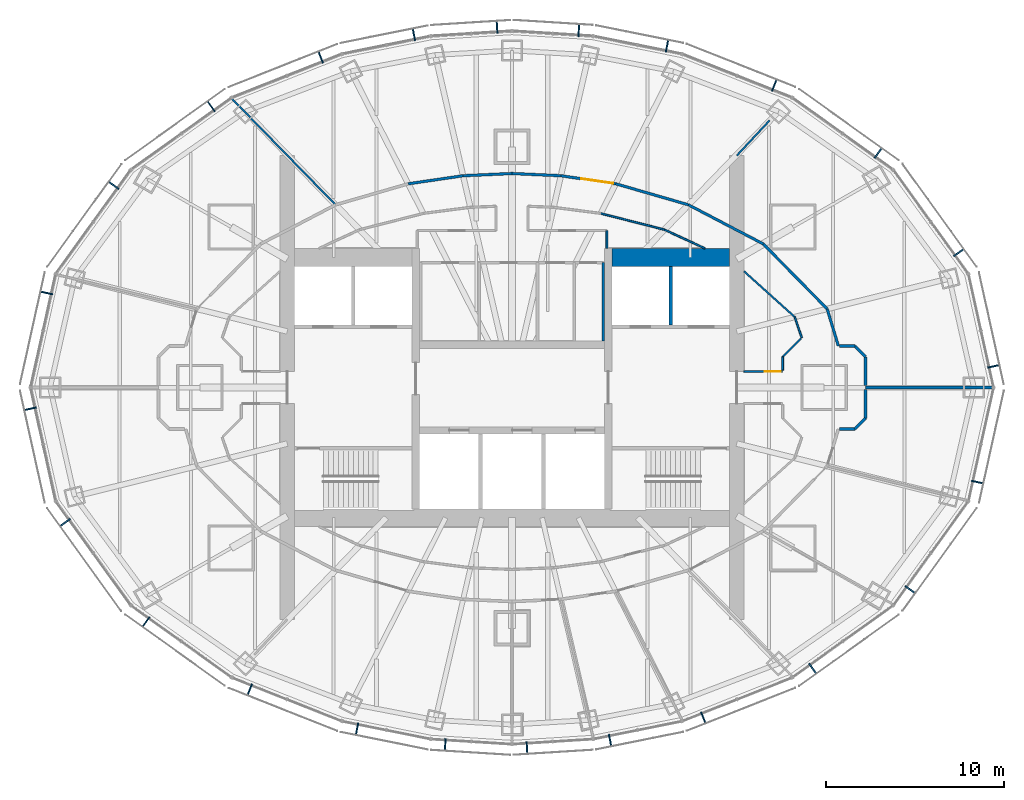
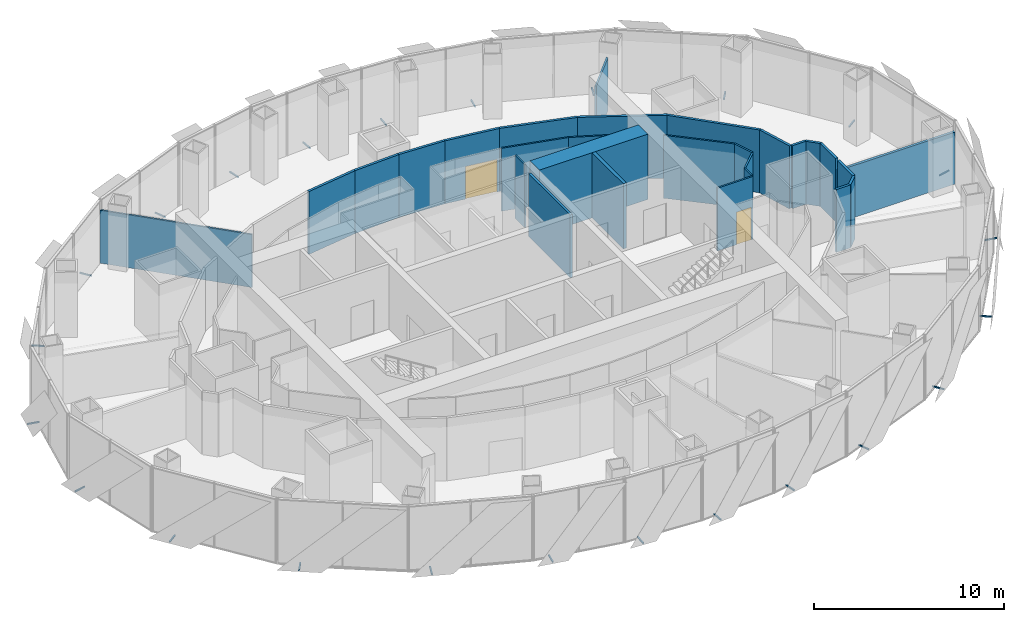
# One storey, part 14 of 17: 28 walls, 24 discrete accessories, 2 doors, 2 openings.
"""IFC4 building model written with IfcOpenShell, lengths in metres."""

from ifc_helpers import new_model, si_unit, direction, frame, frame_2d, origin, origin_2d, place, context, subcontext, project, spatial, rectangle, extrude, material, layer, layer_set, type_object, element, fill, save


model = new_model("IFC4")

# Units and contexts
model_context = context("Model", 3, precision=1e-05, world=origin(), true_north=direction((0.0, 1.0)))
body_context = subcontext(model_context, "Body", "Model", "MODEL_VIEW")
ifc_project = project(units=[si_unit("LENGTHUNIT", "METRE"), si_unit("AREAUNIT", "SQUARE_METRE"), si_unit("VOLUMEUNIT", "CUBIC_METRE"), si_unit("PLANEANGLEUNIT", "RADIAN"), si_unit("MASSUNIT", "GRAM", prefix="KILO")], contexts=[model_context])

# Site, building, storey
site_placement = place(None, origin())
site = spatial("IfcSite", under=ifc_project, at=site_placement, CompositionType="ELEMENT")
building_placement = place(site_placement, origin())
building = spatial("IfcBuilding", under=site, at=building_placement, Name="Lantaw Convention Tower", CompositionType="ELEMENT")
storey_placement = place(building_placement, frame((0.0, 0.0, 220.0)))
storey = spatial("IfcBuildingStorey", under=building, at=storey_placement, Name="L51", CompositionType="ELEMENT", Elevation=220.0)

# Walls
ifc_material_1 = material(Name="Concrete C60/75", Category="concrete")
ifc_layer_1 = layer(ifc_material_1, 1.0)
ifc_layer_set_1 = layer_set([ifc_layer_1], Name="Core wall 1000")
wall_type_1 = type_object("IfcWallType", Name="Core wall 1000", PredefinedType="SHEAR", material=ifc_layer_set_1)
wall_1_placement = place(storey_placement, frame((12.199951171875, 7.300048828125, 0.0), z_axis=(0.0, 0.0, 1.0), x_axis=(-1.0, 0.0, 0.0)))
element("IfcWall", 1, at=wall_1_placement, inside=storey, type_object=wall_type_1, Name="Core wall NE", PredefinedType="SHEAR", context=body_context, shape_type="SweptSolid", body=[
    extrude(rectangle(XDim=6.599853515625, YDim=1.0, at=frame_2d((3.2998046875, 0.0))), origin(), (0.0, 0.0, 1.0), 4.199951171875),
])
ifc_material_2 = material(Name="Gypsum board on steel studs, fire rated", Category="steel")
ifc_layer_2 = layer(ifc_material_2, 0.14990234375)
ifc_layer_set_2 = layer_set([ifc_layer_2], Name="Corridor wall 150 EI 60")
wall_type_2 = type_object("IfcWallType", Name="Corridor wall 150 EI 60", PredefinedType="PARTITIONING", material=ifc_layer_set_2)
wall_2_placement = place(storey_placement, frame((17.6728515625, 4.40625, 0.0), z_axis=(0.0, 0.0, 1.0), x_axis=(-0.701111216625, 0.713051934941, 0.0)))
element("IfcWall", 2, at=wall_2_placement, inside=storey, type_object=wall_type_2, Name="Corridor wall 150", PredefinedType="PARTITIONING", context=body_context, shape_type="SweptSolid", body=[
    extrude(rectangle(XDim=5.111572265625, YDim=0.14990234375, at=frame_2d((2.5556640625, 0.0))), origin(), (0.0, 0.0, 1.0), 4.050048828125),
])
wall_3_placement = place(storey_placement, frame((14.089111328125, 8.051025390625, 0.0), z_axis=(0.0, 0.0, 1.0), x_axis=(-0.886174439647, 0.463351769735, 0.0)))
element("IfcWall", 3, at=wall_3_placement, inside=storey, type_object=wall_type_2, Name="Corridor wall 150", PredefinedType="PARTITIONING", context=body_context, shape_type="SweptSolid", body=[
    extrude(rectangle(XDim=4.734619140625, YDim=0.14990234375, at=frame_2d((2.3671875, 0.0))), origin(), (0.0, 0.0, 1.0), 4.050048828125),
])
wall_4_placement = place(storey_placement, frame((9.893310546875, 10.244873046875, 0.0), z_axis=(0.0, 0.0, 1.0), x_axis=(-0.960614838378, 0.27788330696, 0.0)))
element("IfcWall", 4, at=wall_4_placement, inside=storey, type_object=wall_type_2, Name="Corridor wall 150", PredefinedType="PARTITIONING", context=body_context, shape_type="SweptSolid", body=[
    extrude(rectangle(XDim=4.239990234375, YDim=0.14990234375, at=frame_2d((2.1201171875, 0.0))), origin(), (0.0, 0.0, 1.0), 4.050048828125),
])

# Wall, opening, door
wall_5_placement = place(storey_placement, frame((5.8203125, 11.423095703125, 0.0), z_axis=(0.0, 0.0, 1.0), x_axis=(-0.989421822189, 0.145067080265, 0.0)))
wall_5 = element("IfcWall", 5, at=wall_5_placement, inside=storey, type_object=wall_type_2, Name="Corridor wall 150", PredefinedType="PARTITIONING", context=body_context, shape_type="SweptSolid", body=[
    extrude(rectangle(XDim=3.11181640625, YDim=0.14990234375, at=frame_2d((1.555908203125, 0.0))), origin(), (0.0, 0.0, 1.0), 4.050048828125),
])
opening_1_placement = place(wall_5_placement, frame((0.14990234375, 0.0, 0.0)))
opening_1 = element("IfcOpeningElement", 6, at=opening_1_placement, cuts=wall_5, Name="Opening L51.25", PredefinedType="OPENING", context=body_context, shape_type="SweptSolid", body=[
    extrude(rectangle(XDim=1.800048828125, YDim=2.10009765625, at=frame_2d((0.89990234375, 1.050048828125))), frame((0.0, 0.0849609375, 0.0), z_axis=(0.0, -1.0, 0.0), x_axis=(1.0, 0.0, 0.0)), (0.0, 0.0, 1.0), 0.169921875),
])
ifc_material_3 = material(Name="Steel, fire rated", Category="steel")
door_type_1 = type_object("IfcDoorType", Name="Office double door 1800 FD30", OperationType="DOUBLE_DOOR_DOUBLE_SWING", PredefinedType="DOOR", material=ifc_material_3)
door_1_placement = place(opening_1_placement, origin())
door_1 = element("IfcDoor", 7, at=door_1_placement, inside=storey, type_object=door_type_1, Name="Open office door", OperationType="DOUBLE_DOOR_DOUBLE_SWING", OverallHeight=2.10009765625, OverallWidth=1.800048828125, PredefinedType="DOOR", context=body_context, shape_type="SweptSolid", body=[
    extrude(rectangle(XDim=1.800048828125, YDim=2.10009765625, at=frame_2d((0.89990234375, 1.050048828125))), frame((0.0, 0.02490234375, 0.0), z_axis=(0.0, -1.0, 0.0), x_axis=(1.0, 0.0, 0.0)), (0.0, 0.0, 1.0), 0.050048828125),
])
fill(opening_1, door_1)

# Walls
for number, where, z_axis, x_axis, name in (
    (8, (2.741455078125, 11.87451171875, 0.0), (0.0, 0.0, 1.0), (-0.998953998629, 0.045726454297, 0.0), "Corridor wall 150"),
    (9, (0.0, 12.0, 0.0), (0.0, 0.0, 1.0), (-0.998953998629, -0.045726454297, 0.0), "Corridor wall 150"),
):
    element("IfcWall", number, at=place(storey_placement, frame(where, z_axis=z_axis, x_axis=x_axis)), inside=storey, type_object=wall_type_2, Name=name, PredefinedType="PARTITIONING", context=body_context, shape_type="SweptSolid", body=[
        extrude(rectangle(XDim=2.744384765625, YDim=0.14990234375, at=frame_2d((1.3720703125, 0.0))), origin(), (0.0, 0.0, 1.0), 4.050048828125),
    ])
wall_6_placement = place(storey_placement, frame((-2.741455078125, 11.87451171875, 0.0), z_axis=(0.0, 0.0, 1.0), x_axis=(-0.989421822189, -0.145067080265, 0.0)))
element("IfcWall", 10, at=wall_6_placement, inside=storey, type_object=wall_type_2, Name="Corridor wall 150", PredefinedType="PARTITIONING", context=body_context, shape_type="SweptSolid", body=[
    extrude(rectangle(XDim=3.11181640625, YDim=0.14990234375, at=frame_2d((1.555908203125, 0.0))), origin(), (0.0, 0.0, 1.0), 4.050048828125),
])
wall_7_placement = place(storey_placement, frame((18.296630859375, 2.3349609375, 0.0), z_axis=(0.0, 0.0, 1.0), x_axis=(-0.288362447016, 0.957521330912, 0.0)))
element("IfcWall", 11, at=wall_7_placement, inside=storey, type_object=wall_type_2, Name="Corridor wall 150", PredefinedType="PARTITIONING", context=body_context, shape_type="SweptSolid", body=[
    extrude(rectangle(XDim=2.1630859375, YDim=0.14990234375, at=frame_2d((1.08154296875, 0.0))), origin(), (0.0, 0.0, 1.0), 4.050048828125),
])
wall_8_placement = place(storey_placement, frame((18.367431640625, 2.324951171875, 0.0), z_axis=(0.0, 0.0, 1.0), x_axis=(1.0, 0.0, 0.0)))
element("IfcWall", 12, at=wall_8_placement, inside=storey, type_object=wall_type_2, Name="Corridor wall 150", PredefinedType="PARTITIONING", context=body_context, shape_type="SweptSolid", body=[
    extrude(rectangle(XDim=0.857177734375, YDim=0.14990234375, at=frame_2d((0.4287109375, 0.0))), origin(), (0.0, 0.0, 1.0), 4.050048828125),
])
wall_9_placement = place(storey_placement, frame((19.224609375, 2.324951171875, 0.0), z_axis=(0.0, 0.0, 1.0), x_axis=(0.707106781187, -0.707106781187, 0.0)))
element("IfcWall", 13, at=wall_9_placement, inside=storey, type_object=wall_type_2, Name="Corridor wall 150", PredefinedType="PARTITIONING", context=body_context, shape_type="SweptSolid", body=[
    extrude(rectangle(XDim=0.84912109375, YDim=0.14990234375, at=frame_2d((0.424560546875, 0.0))), origin(), (0.0, 0.0, 1.0), 4.050048828125),
])
for number, where, z_axis, x_axis, name in (
    (14, (19.824951171875, 1.724609375, 0.0), (0.0, 0.0, 1.0), (0.0, -1.0, 0.0), "Corridor wall 150"),
    (15, (19.824951171875, -0.103271484375, 0.0), (0.0, 0.0, 1.0), (0.0, -1.0, 0.0), "Corridor wall 150"),
):
    element("IfcWall", number, at=place(storey_placement, frame(where, z_axis=z_axis, x_axis=x_axis)), inside=storey, type_object=wall_type_2, Name=name, PredefinedType="PARTITIONING", context=body_context, shape_type="SweptSolid", body=[
        extrude(rectangle(XDim=1.621337890625, YDim=0.14990234375, at=frame_2d((0.810546875, 0.0))), origin(), (0.0, 0.0, 1.0), 4.050048828125),
    ])
wall_10_placement = place(storey_placement, frame((19.824951171875, -1.724609375, 0.0), z_axis=(0.0, 0.0, 1.0), x_axis=(-0.707106781187, -0.707106781187, 0.0)))
element("IfcWall", 16, at=wall_10_placement, inside=storey, type_object=wall_type_2, Name="Corridor wall 150", PredefinedType="PARTITIONING", context=body_context, shape_type="SweptSolid", body=[
    extrude(rectangle(XDim=0.84912109375, YDim=0.14990234375, at=frame_2d((0.424560546875, 0.0))), origin(), (0.0, 0.0, 1.0), 4.050048828125),
])
wall_11_placement = place(storey_placement, frame((19.224609375, -2.324951171875, 0.0), z_axis=(0.0, 0.0, 1.0), x_axis=(-1.0, 0.0, 0.0)))
element("IfcWall", 17, at=wall_11_placement, inside=storey, type_object=wall_type_2, Name="Corridor wall 150", PredefinedType="PARTITIONING", context=body_context, shape_type="SweptSolid", body=[
    extrude(rectangle(XDim=0.857177734375, YDim=0.14990234375, at=frame_2d((0.4287109375, 0.0))), origin(), (0.0, 0.0, 1.0), 4.050048828125),
])
ifc_material_4 = material(Name="Gypsum board on steel studs, acoustic", Category="steel")
ifc_layer_3 = layer(ifc_material_4, 0.10009765625)
ifc_layer_set_3 = layer_set([ifc_layer_3], Name="Office partition 100")
wall_type_3 = type_object("IfcWallType", Name="Office partition 100", PredefinedType="PARTITIONING", material=ifc_layer_set_3)
wall_12_placement = place(storey_placement, frame((-15.709228515625, 16.198974609375, 0.0), z_axis=(0.0, 0.0, 1.0), x_axis=(0.69875697861, -0.715359129978, 0.0)))
element("IfcWall", 18, at=wall_12_placement, inside=storey, type_object=wall_type_3, Name="Office partition 100", PredefinedType="PARTITIONING", context=body_context, shape_type="SweptSolid", body=[
    extrude(rectangle(XDim=8.3232421875, YDim=0.10009765625, at=frame_2d((4.16162109375, 0.0))), origin(), (0.0, 0.0, 1.0), 3.409912109375),
])
wall_13_placement = place(storey_placement, frame((13.0, 6.5244140625, 0.0), z_axis=(0.0, 0.0, 1.0), x_axis=(0.743177243228, -0.669094601046, 0.0)))
element("IfcWall", 19, at=wall_13_placement, inside=storey, type_object=wall_type_3, Name="Office partition 100", PredefinedType="PARTITIONING", context=body_context, shape_type="SweptSolid", body=[
    extrude(rectangle(XDim=3.842529296875, YDim=0.10009765625, at=frame_2d((1.92138671875, 0.0))), origin(), (0.0, 0.0, 1.0), 4.050048828125),
])
wall_14_placement = place(storey_placement, frame((5.320068359375, 7.800048828125, 0.0), z_axis=(0.0, 0.0, 1.0), x_axis=(0.0, 1.0, 0.0)))
element("IfcWall", 20, at=wall_14_placement, inside=storey, type_object=wall_type_3, Name="Office partition 100", PredefinedType="PARTITIONING", context=body_context, shape_type="SweptSolid", body=[
    extrude(rectangle(XDim=1.0, YDim=0.10009765625, at=frame_2d((0.5, 0.0))), origin(), (0.0, 0.0, 1.0), 4.050048828125),
])
wall_15_placement = place(storey_placement, frame((4.97509765625, 9.763916015625, 0.0), z_axis=(0.0, 0.0, 1.0), x_axis=(0.968887312542, -0.247502273921, 0.0)))
element("IfcWall", 21, at=wall_15_placement, inside=storey, type_object=wall_type_3, Name="Office partition 100", PredefinedType="PARTITIONING", context=body_context, shape_type="SweptSolid", body=[
    extrude(rectangle(XDim=3.687255859375, YDim=0.10009765625, at=frame_2d((1.84375, 0.0))), origin(), (0.0, 0.0, 1.0), 4.050048828125),
])
wall_16_placement = place(storey_placement, frame((8.547607421875, 8.851318359375, 0.0), z_axis=(0.0, 0.0, 1.0), x_axis=(0.907759689292, -0.419490579748, 0.0)))
element("IfcWall", 22, at=wall_16_placement, inside=storey, type_object=wall_type_3, Name="Office partition 100", PredefinedType="PARTITIONING", context=body_context, shape_type="SweptSolid", body=[
    extrude(rectangle(XDim=2.506103515625, YDim=0.10009765625, at=frame_2d((1.2529296875, 0.0))), origin(), (0.0, 0.0, 1.0), 4.050048828125),
])
wall_17_placement = place(storey_placement, frame((12.60009765625, 13.0, 0.0), z_axis=(0.0, 0.0, 1.0), x_axis=(0.682434118301, 0.730947107648, 0.0)))
element("IfcWall", 23, at=wall_17_placement, inside=storey, type_object=wall_type_3, Name="Office partition 100", PredefinedType="PARTITIONING", context=body_context, shape_type="SweptSolid", body=[
    extrude(rectangle(XDim=2.702392578125, YDim=0.10009765625, at=frame_2d((1.35107421875, 0.0))), origin(), (0.0, 0.0, 1.0), 3.409912109375),
])
wall_18_placement = place(storey_placement, frame((15.855712890625, 3.953369140625, 0.0), z_axis=(0.0, 0.0, 1.0), x_axis=(0.321913473529, -0.946769093053, 0.0)))
element("IfcWall", 24, at=wall_18_placement, inside=storey, type_object=wall_type_3, Name="Office partition 100", PredefinedType="PARTITIONING", context=body_context, shape_type="SweptSolid", body=[
    extrude(rectangle(XDim=1.22265625, YDim=0.10009765625, at=frame_2d((0.611328125, 0.0))), origin(), (0.0, 0.0, 1.0), 4.050048828125),
])

# Wall, opening, door
wall_19_placement = place(storey_placement, frame((15.1650390625, 0.89990234375, 0.0), z_axis=(0.0, 0.0, 1.0), x_axis=(-1.0, 0.0, 0.0)))
wall_19 = element("IfcWall", 25, at=wall_19_placement, inside=storey, type_object=wall_type_3, Name="Office partition 100", PredefinedType="PARTITIONING", context=body_context, shape_type="SweptSolid", body=[
    extrude(rectangle(XDim=2.1650390625, YDim=0.10009765625, at=frame_2d((1.08251953125, 0.0))), origin(), (0.0, 0.0, 1.0), 4.050048828125),
])
opening_2_placement = place(wall_19_placement, frame((0.10009765625, 0.0, 0.0)))
opening_2 = element("IfcOpeningElement", 26, at=opening_2_placement, cuts=wall_19, Name="Opening L51.21", PredefinedType="OPENING", context=body_context, shape_type="SweptSolid", body=[
    extrude(rectangle(XDim=0.89990234375, YDim=2.10009765625, at=frame_2d((0.449951171875, 1.050048828125))), frame((0.0, 0.06005859375, 0.0), z_axis=(0.0, -1.0, 0.0), x_axis=(1.0, 0.0, 0.0)), (0.0, 0.0, 1.0), 0.1201171875),
])
ifc_material_5 = material(Name="Timber", Category="wood")
door_type_2 = type_object("IfcDoorType", Name="Office door 900", OperationType="SINGLE_SWING_LEFT", PredefinedType="DOOR", material=ifc_material_5)
door_2_placement = place(opening_2_placement, origin())
door_2 = element("IfcDoor", 27, at=door_2_placement, inside=storey, type_object=door_type_2, Name="Meeting room door", OperationType="SINGLE_SWING_LEFT", OverallHeight=2.10009765625, OverallWidth=0.89990234375, PredefinedType="DOOR", context=body_context, shape_type="SweptSolid", body=[
    extrude(rectangle(XDim=0.89990234375, YDim=2.10009765625, at=frame_2d((0.449951171875, 1.050048828125))), frame((0.0, 0.02490234375, 0.0), z_axis=(0.0, -1.0, 0.0), x_axis=(1.0, 0.0, 0.0)), (0.0, 0.0, 1.0), 0.050048828125),
])
fill(opening_2, door_2)

# Walls
wall_20_placement = place(storey_placement, frame((15.175048828125, 0.978271484375, 0.0), z_axis=(0.0, 0.0, 1.0), x_axis=(0.0, 1.0, 0.0)))
element("IfcWall", 28, at=wall_20_placement, inside=storey, type_object=wall_type_3, Name="Office partition 100", PredefinedType="PARTITIONING", context=body_context, shape_type="SweptSolid", body=[
    extrude(rectangle(XDim=0.746337890625, YDim=0.10009765625, at=frame_2d((0.373046875, 0.0))), origin(), (0.0, 0.0, 1.0), 4.050048828125),
])
wall_21_placement = place(storey_placement, frame((15.175048828125, 1.724609375, 0.0), z_axis=(0.0, 0.0, 1.0), x_axis=(0.712897698193, 0.701268045694, 0.0)))
element("IfcWall", 29, at=wall_21_placement, inside=storey, type_object=wall_type_3, Name="Office partition 100", PredefinedType="PARTITIONING", context=body_context, shape_type="SweptSolid", body=[
    extrude(rectangle(XDim=1.469482421875, YDim=0.10009765625, at=frame_2d((0.73486328125, 0.0))), origin(), (0.0, 0.0, 1.0), 4.050048828125),
])
ifc_material_6 = material(Name="Concrete blockwork, fire rated", Category="masonry")
ifc_layer_4 = layer(ifc_material_6, 0.199951171875)
ifc_layer_set_4 = layer_set([ifc_layer_4], Name="Shaft wall 200")
wall_type_4 = type_object("IfcWallType", Name="Shaft wall 200", PredefinedType="SOLIDWALL", material=ifc_layer_set_4)
wall_22_placement = place(storey_placement, frame((8.89990234375, 3.5, 0.0), z_axis=(0.0, 0.0, 1.0), x_axis=(0.0, 1.0, 0.0)))
element("IfcWall", 30, at=wall_22_placement, inside=storey, type_object=wall_type_4, Name="Shaft wall ED", PredefinedType="SOLIDWALL", context=body_context, shape_type="SweptSolid", body=[
    extrude(rectangle(XDim=3.300048828125, YDim=0.199951171875, at=frame_2d((1.64990234375, 0.0))), origin(), (0.0, 0.0, 1.0), 4.199951171875),
])
ifc_layer_5 = layer(ifc_material_2, 0.14990234375)
ifc_layer_set_5 = layer_set([ifc_layer_5], Name="Tenant separation wall 150 EI 60")
wall_type_5 = type_object("IfcWallType", Name="Tenant separation wall 150 EI 60", PredefinedType="PARTITIONING", material=ifc_layer_set_5)
wall_23_placement = place(storey_placement, frame((26.944091796875, 0.0, 0.0), z_axis=(0.0, 0.0, 1.0), x_axis=(-1.0, 0.0, 0.0)))
element("IfcWall", 31, at=wall_23_placement, inside=storey, type_object=wall_type_5, Name="Tenant separation wall 150", PredefinedType="PARTITIONING", context=body_context, shape_type="SweptSolid", body=[
    extrude(rectangle(XDim=7.109130859375, YDim=0.14990234375, at=frame_2d((3.5546875, 0.0))), origin(), (0.0, 0.0, 1.0), 3.348876953125),
])
ifc_material_7 = material(Name="Concrete blockwork", Category="masonry")
ifc_layer_6 = layer(ifc_material_7, 0.14990234375)
ifc_layer_set_6 = layer_set([ifc_layer_6], Name="WC wall 150")
wall_type_6 = type_object("IfcWallType", Name="WC wall 150", PredefinedType="SOLIDWALL", material=ifc_layer_set_6)
wall_24_placement = place(storey_placement, frame((5.1201171875, 2.60009765625, 0.0), z_axis=(0.0, 0.0, 1.0), x_axis=(0.0, 1.0, 0.0)))
element("IfcWall", 32, at=wall_24_placement, inside=storey, type_object=wall_type_6, Name="WC wall 150", PredefinedType="SOLIDWALL", context=body_context, shape_type="SweptSolid", body=[
    extrude(rectangle(XDim=4.39990234375, YDim=0.14990234375, at=frame_2d((2.199951171875, 0.0))), origin(), (0.0, 0.0, 1.0), 4.050048828125),
])

# Discrete accessories
for number, where, z_axis, x_axis, name in (
    (33, (27.002197265625, 1.189453125, -0.114990234375), (0.0, 0.0, 1.0), (-0.215891333626, 0.976417396437, 0.0), "Screen bracket"),
    (34, (25.05419921875, 7.564453125, -0.114990234375), (0.0, 0.0, 1.0), (-0.585157643865, 0.810919559405, 0.0), "Screen bracket"),
    (35, (20.524169921875, 13.14453125, -0.114990234375), (0.0, 0.0, 1.0), (-0.813672540482, 0.581323487281, 0.0), "Screen bracket"),
    (36, (14.707763671875, 16.94140625, -0.114990234375), (0.0, 0.0, 1.0), (-0.929761533743, 0.368162315252, 0.0), "Screen bracket"),
    (37, (8.68896484375, 19.145751953125, -0.114990234375), (0.0, 0.0, 1.0), (-0.980366679695, 0.197183095987, 0.0), "Screen bracket"),
    (38, (3.743896484375, 20.024169921875, -0.114990234375), (0.0, 0.0, 1.0), (-0.998028774865, 0.062757983884, 0.0), "Screen bracket"),
    (39, (-0.83984375, 20.206787109375, -0.114990234375), (0.0, 0.0, 1.0), (-0.998028774865, -0.062757983884, 0.0), "Screen bracket"),
    (40, (-5.49853515625, 19.78759765625, -0.114990234375), (0.0, 0.0, 1.0), (-0.980366679695, -0.197183095987, 0.0), "Screen bracket"),
    (41, (-10.7255859375, 18.518310546875, -0.114990234375), (0.0, 0.0, 1.0), (-0.929761533743, -0.368162315252, 0.0), "Screen bracket"),
    (42, (-16.863525390625, 15.759765625, -0.114990234375), (0.0, 0.0, 1.0), (-0.813672540482, -0.581323487281, 0.0), "Screen bracket"),
    (43, (-22.333251953125, 11.3349609375, -0.114990234375), (0.0, 0.0, 1.0), (-0.585157643865, -0.810919559405, 0.0), "Screen bracket"),
    (44, (-26.0927734375, 5.302490234375, -0.114990234375), (0.0, 0.0, 1.0), (-0.215891333626, -0.976417396437, 0.0), "Screen bracket"),
    (45, (-27.002197265625, -1.189453125, -0.114990234375), (0.0, 0.0, 1.0), (0.215891333626, -0.976417396437, 0.0), "Screen bracket"),
    (46, (-25.05419921875, -7.564453125, -0.114990234375), (0.0, 0.0, 1.0), (0.585157643865, -0.810919559405, 0.0), "Screen bracket"),
    (47, (-20.524169921875, -13.14453125, -0.114990234375), (0.0, 0.0, 1.0), (0.813672540482, -0.581323487281, 0.0), "Screen bracket"),
    (48, (-14.707763671875, -16.94140625, -0.114990234375), (0.0, 0.0, 1.0), (0.929761533743, -0.368162315252, 0.0), "Screen bracket"),
    (49, (-8.68896484375, -19.145751953125, -0.114990234375), (0.0, 0.0, 1.0), (0.980366679695, -0.197183095987, 0.0), "Screen bracket"),
    (50, (-3.743896484375, -20.024169921875, -0.114990234375), (0.0, 0.0, 1.0), (0.998028774865, -0.062757983884, 0.0), "Screen bracket"),
    (51, (0.83984375, -20.206787109375, -0.114990234375), (0.0, 0.0, 1.0), (0.998028774865, 0.062757983884, 0.0), "Screen bracket"),
    (52, (5.49853515625, -19.78759765625, -0.114990234375), (0.0, 0.0, 1.0), (0.980366679695, 0.197183095987, 0.0), "Screen bracket"),
    (53, (10.7255859375, -18.518310546875, -0.114990234375), (0.0, 0.0, 1.0), (0.929761533743, 0.368162315252, 0.0), "Screen bracket"),
    (54, (16.863525390625, -15.759765625, -0.114990234375), (0.0, 0.0, 1.0), (0.813672540482, 0.581323487281, 0.0), "Screen bracket"),
    (55, (22.333251953125, -11.3349609375, -0.114990234375), (0.0, 0.0, 1.0), (0.585157643865, 0.810919559405, 0.0), "Screen bracket"),
    (56, (26.0927734375, -5.302490234375, -0.114990234375), (0.0, 0.0, 1.0), (0.215891333626, 0.976417396437, 0.0), "Screen bracket"),
):
    element("IfcDiscreteAccessory", number, at=place(storey_placement, frame(where, z_axis=z_axis, x_axis=x_axis)), inside=storey, Name=name, PredefinedType="BRACKET", context=body_context, shape_type="SweptSolid", body=[
        extrude(rectangle(XDim=0.080078125, YDim=0.68798828125, at=origin_2d()), origin(), (0.0, 0.0, 1.0), 0.080078125),
    ])

save(model, "model.ifc")
